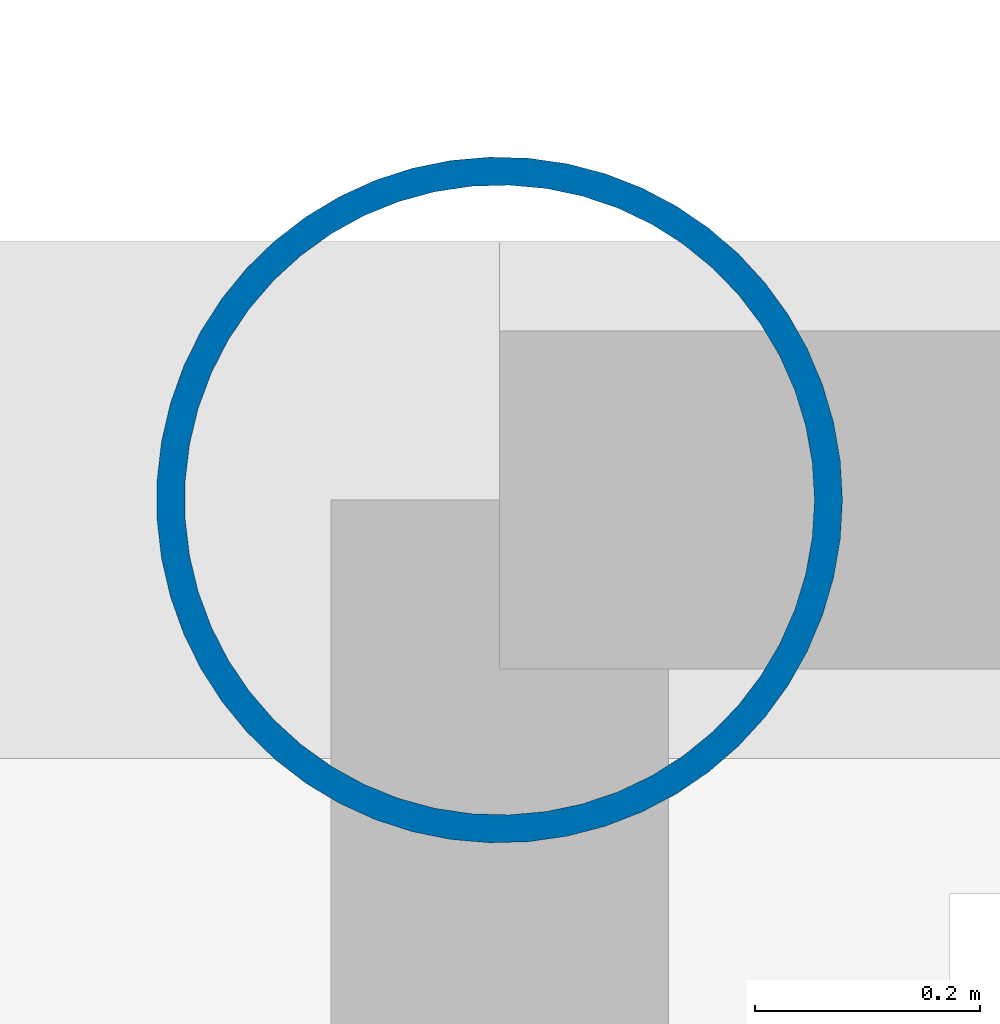
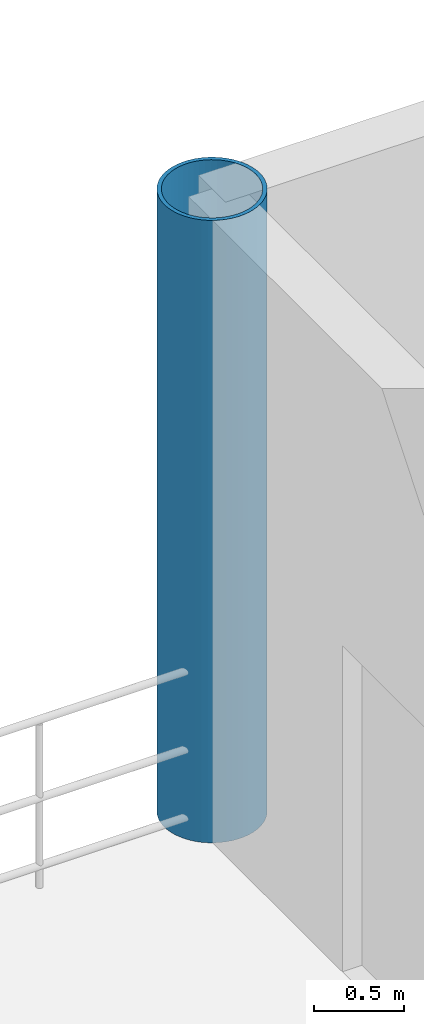
# One storey, part 4 of 157: 1 column.
"""IFC4 building model written with IfcOpenShell, lengths in metres."""

from ifc_helpers import new_model, si_unit, direction, frame, origin, origin_2d, place, context, subcontext, project, spatial, hollow_circle, extrude, material, material_profile, profile_set, type_object, element, save


model = new_model("IFC4")

# Units and contexts
model_context = context("Model", 3, precision=1e-05, world=origin(), true_north=direction((0.0, 1.0)))
body_context = subcontext(model_context, "Body", "Model", "MODEL_VIEW")
ifc_project = project(units=[si_unit("LENGTHUNIT", "METRE"), si_unit("AREAUNIT", "SQUARE_METRE"), si_unit("VOLUMEUNIT", "CUBIC_METRE"), si_unit("PLANEANGLEUNIT", "RADIAN"), si_unit("MASSUNIT", "GRAM", prefix="KILO")], contexts=[model_context])

# Site, building, storey
site_placement = place(None, origin())
site = spatial("IfcSite", under=ifc_project, at=site_placement, CompositionType="ELEMENT")
building_placement = place(site_placement, origin())
building = spatial("IfcBuilding", under=site, at=building_placement, Name="Brelvane Convention Centre", CompositionType="ELEMENT")
storey_placement = place(building_placement, frame((0.0, 0.0, 10.800048828125)))
storey = spatial("IfcBuildingStorey", under=building, at=storey_placement, Name="L02", CompositionType="ELEMENT", Elevation=10.800048828125)

# Column
ifc_material = material(Name="Steel E450 (450 MPa)", Category="steel")
ifc_material_profile = material_profile(ifc_material, hollow_circle(Radius=0.304931640625, WallThickness=0.02490234375, at=origin_2d()), Name="CHS 610.0x25.0")
ifc_profile_set = profile_set([ifc_material_profile], Name="Steel E450 (450 MPa)")
column_type = type_object("IfcColumnType", Name="Steel Column C-ST1 (CHS 610.0x25.0)", PredefinedType="COLUMN", material=ifc_profile_set)
column_placement = place(storey_placement, frame((122.39990234375, 28.800048828125, 0.0), z_axis=(0.0, 0.0, 1.0), x_axis=(1.0, 0.0, 0.0)))
element("IfcColumn", 1, at=column_placement, inside=storey, type_object=column_type, Name="Column 13-D (L02)", PredefinedType="COLUMN", context=body_context, shape_type="SweptSolid", body=[
    extrude(hollow_circle(Radius=0.304931640625, WallThickness=0.02490234375, at=origin_2d()), origin(), (0.0, 0.0, 1.0), 4.199951171875),
])

save(model, "model.ifc")
